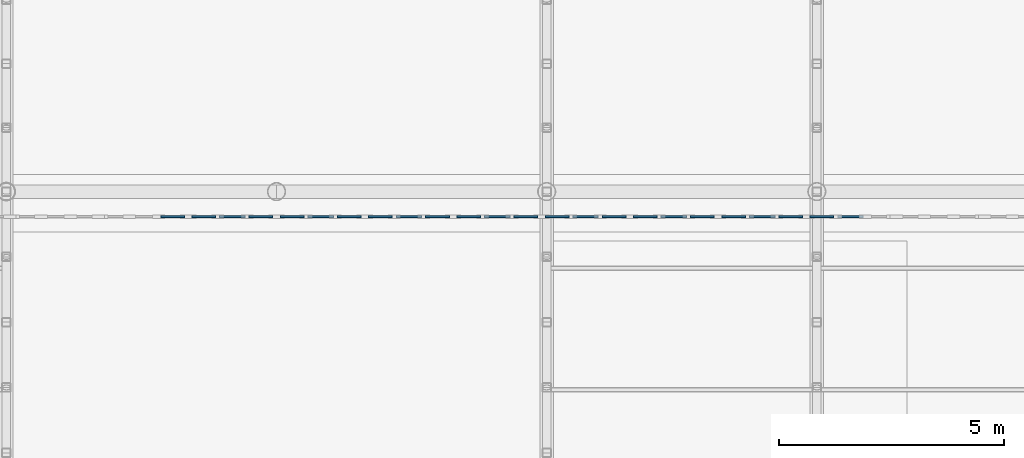
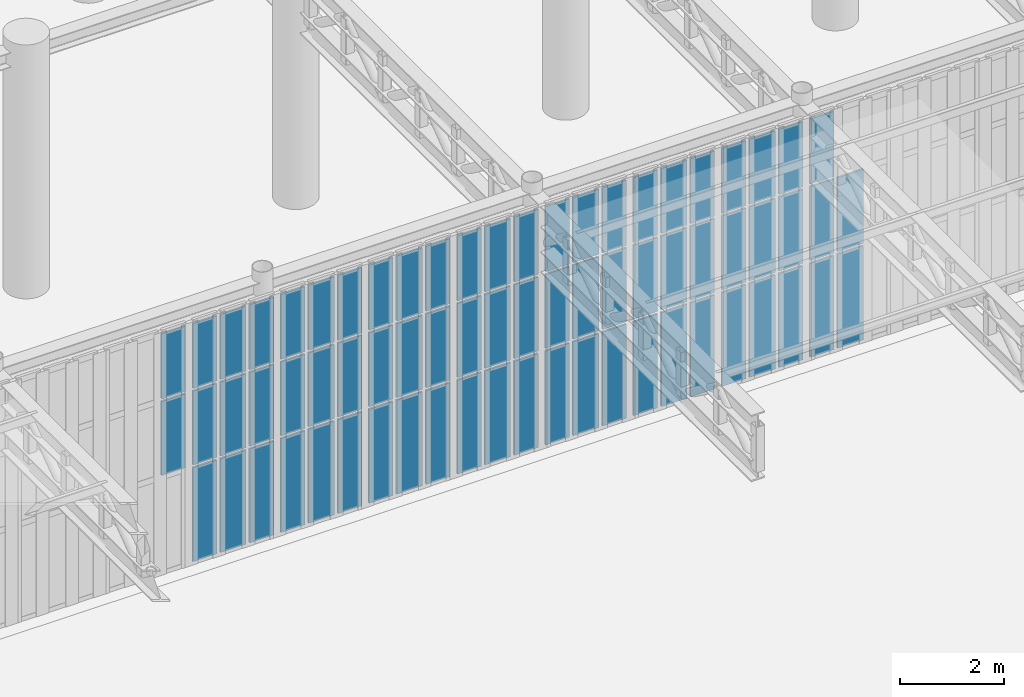
# One storey, part 72 of 118: 70 plates, 9 elements without a shape of their own.
"""IFC4 building model written with IfcOpenShell, lengths in metres."""

from ifc_helpers import new_model, si_unit, direction, frame, origin, origin_2d, place, context, subcontext, project, spatial, rectangle, extrude, material, layer, layer_set, type_object, element, aggregate, save


model = new_model("IFC4")

# Units and contexts
model_context = context("Model", 3, precision=1e-05, world=origin(), true_north=direction((0.0, 1.0)))
body_context = subcontext(model_context, "Body", "Model", "MODEL_VIEW")
ifc_project = project(units=[si_unit("LENGTHUNIT", "METRE"), si_unit("AREAUNIT", "SQUARE_METRE"), si_unit("VOLUMEUNIT", "CUBIC_METRE"), si_unit("PLANEANGLEUNIT", "RADIAN"), si_unit("MASSUNIT", "GRAM", prefix="KILO")], contexts=[model_context])

# Site, building, storey
site_placement = place(None, origin())
site = spatial("IfcSite", under=ifc_project, at=site_placement, CompositionType="ELEMENT")
building_placement = place(site_placement, origin())
building = spatial("IfcBuilding", under=site, at=building_placement, Name="Kolvaren Corner Interchange", CompositionType="ELEMENT")
storey_placement = place(building_placement, origin())
storey = spatial("IfcBuildingStorey", under=building, at=storey_placement, Name="L01", CompositionType="ELEMENT", Elevation=0.0)

# Curtain wall, plates
ifc_material_1 = material(Name="Unitised Aluminium and Solar-Control Glass Curtain Wall", Category="aluminium")
curtain_wall_type = type_object("IfcCurtainWallType", Name="CW-V1-PORTAL", PredefinedType="NOTDEFINED", material=ifc_material_1)
curtain_wall_1_placement = place(storey_placement, origin())
curtain_wall_1 = element("IfcCurtainWall", 1, at=curtain_wall_1_placement, inside=storey, type_object=curtain_wall_type, Name="South Portal Ground Curtain Wall Bay 08", PredefinedType="NOTDEFINED")
ifc_material_2 = material(Name="Acoustic Triple-Glazed Solar Glass", Category="glass")
ifc_layer = layer(ifc_material_2, 0.0419921875)
ifc_layer_set = layer_set([ifc_layer], Name="Acoustic Triple-Glazed Solar Glass")
plate_type = type_object("IfcPlateType", Name="PLT-CW-GL38", PredefinedType="CURTAIN_PANEL", material=ifc_layer_set)
plate_1_placement = place(storey_placement, frame((87.692138671875, 24.340087890625, 2.330078125), z_axis=(0.0, 0.0, 1.0), x_axis=(1.0, 0.0, 0.0)))
plate_1 = element("IfcPlate", 2, at=plate_1_placement, type_object=plate_type, Name="CW-008 panel 3.2", PredefinedType="CURTAIN_PANEL", context=body_context, shape_type="SweptSolid", body=[
    extrude(rectangle(XDim=0.53369140625, YDim=0.0419921875, at=origin_2d()), origin(), (0.0, 0.0, 1.0), 1.739990234375),
])
plate_2_placement = place(storey_placement, frame((87.692138671875, 24.340087890625, 4.1298828125), z_axis=(0.0, 0.0, 1.0), x_axis=(1.0, 0.0, 0.0)))
plate_2 = element("IfcPlate", 3, at=plate_2_placement, type_object=plate_type, Name="CW-008 panel 3.3", PredefinedType="CURTAIN_PANEL", context=body_context, shape_type="SweptSolid", body=[
    extrude(rectangle(XDim=0.53369140625, YDim=0.0419921875, at=origin_2d()), origin(), (0.0, 0.0, 1.0), 1.530029296875),
])
aggregate(curtain_wall_1, [plate_1, plate_2])

curtain_wall_2_placement = place(storey_placement, origin())
curtain_wall_2 = element("IfcCurtainWall", 4, at=curtain_wall_2_placement, inside=storey, type_object=curtain_wall_type, Name="South Portal Ground Curtain Wall Bay 09", PredefinedType="NOTDEFINED")
plate_3_placement = place(storey_placement, frame((88.3857421875, 24.340087890625, 0.06005859375), z_axis=(0.0, 0.0, 1.0), x_axis=(1.0, 0.0, 0.0)))
plate_3 = element("IfcPlate", 5, at=plate_3_placement, type_object=plate_type, Name="CW-009 panel 1.1", PredefinedType="CURTAIN_PANEL", context=body_context, shape_type="SweptSolid", body=[
    extrude(rectangle(XDim=0.53369140625, YDim=0.0419921875, at=origin_2d()), origin(), (0.0, 0.0, 1.0), 2.2099609375),
])
plate_4_placement = place(storey_placement, frame((88.3857421875, 24.340087890625, 2.330078125), z_axis=(0.0, 0.0, 1.0), x_axis=(1.0, 0.0, 0.0)))
plate_4 = element("IfcPlate", 6, at=plate_4_placement, type_object=plate_type, Name="CW-009 panel 1.2", PredefinedType="CURTAIN_PANEL", context=body_context, shape_type="SweptSolid", body=[
    extrude(rectangle(XDim=0.53369140625, YDim=0.0419921875, at=origin_2d()), origin(), (0.0, 0.0, 1.0), 1.739990234375),
])
plate_5_placement = place(storey_placement, frame((88.3857421875, 24.340087890625, 4.1298828125), z_axis=(0.0, 0.0, 1.0), x_axis=(1.0, 0.0, 0.0)))
plate_5 = element("IfcPlate", 7, at=plate_5_placement, type_object=plate_type, Name="CW-009 panel 1.3", PredefinedType="CURTAIN_PANEL", context=body_context, shape_type="SweptSolid", body=[
    extrude(rectangle(XDim=0.53369140625, YDim=0.0419921875, at=origin_2d()), origin(), (0.0, 0.0, 1.0), 1.530029296875),
])
plate_6_placement = place(storey_placement, frame((89.01953125, 24.340087890625, 0.06005859375), z_axis=(0.0, 0.0, 1.0), x_axis=(1.0, 0.0, 0.0)))
plate_6 = element("IfcPlate", 8, at=plate_6_placement, type_object=plate_type, Name="CW-009 panel 2.1", PredefinedType="CURTAIN_PANEL", context=body_context, shape_type="SweptSolid", body=[
    extrude(rectangle(XDim=0.57373046875, YDim=0.0419921875, at=origin_2d()), origin(), (0.0, 0.0, 1.0), 2.2099609375),
])
plate_7_placement = place(storey_placement, frame((89.01953125, 24.340087890625, 2.330078125), z_axis=(0.0, 0.0, 1.0), x_axis=(1.0, 0.0, 0.0)))
plate_7 = element("IfcPlate", 9, at=plate_7_placement, type_object=plate_type, Name="CW-009 panel 2.2", PredefinedType="CURTAIN_PANEL", context=body_context, shape_type="SweptSolid", body=[
    extrude(rectangle(XDim=0.57373046875, YDim=0.0419921875, at=origin_2d()), origin(), (0.0, 0.0, 1.0), 1.739990234375),
])
plate_8_placement = place(storey_placement, frame((89.01953125, 24.340087890625, 4.1298828125), z_axis=(0.0, 0.0, 1.0), x_axis=(1.0, 0.0, 0.0)))
plate_8 = element("IfcPlate", 10, at=plate_8_placement, type_object=plate_type, Name="CW-009 panel 2.3", PredefinedType="CURTAIN_PANEL", context=body_context, shape_type="SweptSolid", body=[
    extrude(rectangle(XDim=0.57373046875, YDim=0.0419921875, at=origin_2d()), origin(), (0.0, 0.0, 1.0), 1.530029296875),
])
plate_9_placement = place(storey_placement, frame((89.653076171875, 24.340087890625, 0.06005859375), z_axis=(0.0, 0.0, 1.0), x_axis=(1.0, 0.0, 0.0)))
plate_9 = element("IfcPlate", 11, at=plate_9_placement, type_object=plate_type, Name="CW-009 panel 3.1", PredefinedType="CURTAIN_PANEL", context=body_context, shape_type="SweptSolid", body=[
    extrude(rectangle(XDim=0.53369140625, YDim=0.0419921875, at=origin_2d()), origin(), (0.0, 0.0, 1.0), 2.2099609375),
])
plate_10_placement = place(storey_placement, frame((89.653076171875, 24.340087890625, 2.330078125), z_axis=(0.0, 0.0, 1.0), x_axis=(1.0, 0.0, 0.0)))
plate_10 = element("IfcPlate", 12, at=plate_10_placement, type_object=plate_type, Name="CW-009 panel 3.2", PredefinedType="CURTAIN_PANEL", context=body_context, shape_type="SweptSolid", body=[
    extrude(rectangle(XDim=0.53369140625, YDim=0.0419921875, at=origin_2d()), origin(), (0.0, 0.0, 1.0), 1.739990234375),
])
plate_11_placement = place(storey_placement, frame((89.653076171875, 24.340087890625, 4.1298828125), z_axis=(0.0, 0.0, 1.0), x_axis=(1.0, 0.0, 0.0)))
plate_11 = element("IfcPlate", 13, at=plate_11_placement, type_object=plate_type, Name="CW-009 panel 3.3", PredefinedType="CURTAIN_PANEL", context=body_context, shape_type="SweptSolid", body=[
    extrude(rectangle(XDim=0.53369140625, YDim=0.0419921875, at=origin_2d()), origin(), (0.0, 0.0, 1.0), 1.530029296875),
])
aggregate(curtain_wall_2, [plate_3, plate_4, plate_5, plate_6, plate_7, plate_8, plate_9, plate_10, plate_11])

curtain_wall_3_placement = place(storey_placement, origin())
curtain_wall_3 = element("IfcCurtainWall", 14, at=curtain_wall_3_placement, inside=storey, type_object=curtain_wall_type, Name="South Portal Ground Curtain Wall Bay 10", PredefinedType="NOTDEFINED")
plate_12_placement = place(storey_placement, frame((90.346923828125, 24.340087890625, 0.06005859375), z_axis=(0.0, 0.0, 1.0), x_axis=(1.0, 0.0, 0.0)))
plate_12 = element("IfcPlate", 15, at=plate_12_placement, type_object=plate_type, Name="CW-010 panel 1.1", PredefinedType="CURTAIN_PANEL", context=body_context, shape_type="SweptSolid", body=[
    extrude(rectangle(XDim=0.53369140625, YDim=0.0419921875, at=origin_2d()), origin(), (0.0, 0.0, 1.0), 2.2099609375),
])
plate_13_placement = place(storey_placement, frame((90.346923828125, 24.340087890625, 2.330078125), z_axis=(0.0, 0.0, 1.0), x_axis=(1.0, 0.0, 0.0)))
plate_13 = element("IfcPlate", 16, at=plate_13_placement, type_object=plate_type, Name="CW-010 panel 1.2", PredefinedType="CURTAIN_PANEL", context=body_context, shape_type="SweptSolid", body=[
    extrude(rectangle(XDim=0.53369140625, YDim=0.0419921875, at=origin_2d()), origin(), (0.0, 0.0, 1.0), 1.739990234375),
])
plate_14_placement = place(storey_placement, frame((90.346923828125, 24.340087890625, 4.1298828125), z_axis=(0.0, 0.0, 1.0), x_axis=(1.0, 0.0, 0.0)))
plate_14 = element("IfcPlate", 17, at=plate_14_placement, type_object=plate_type, Name="CW-010 panel 1.3", PredefinedType="CURTAIN_PANEL", context=body_context, shape_type="SweptSolid", body=[
    extrude(rectangle(XDim=0.53369140625, YDim=0.0419921875, at=origin_2d()), origin(), (0.0, 0.0, 1.0), 1.530029296875),
])
plate_15_placement = place(storey_placement, frame((90.98046875, 24.340087890625, 0.06005859375), z_axis=(0.0, 0.0, 1.0), x_axis=(1.0, 0.0, 0.0)))
plate_15 = element("IfcPlate", 18, at=plate_15_placement, type_object=plate_type, Name="CW-010 panel 2.1", PredefinedType="CURTAIN_PANEL", context=body_context, shape_type="SweptSolid", body=[
    extrude(rectangle(XDim=0.57373046875, YDim=0.0419921875, at=origin_2d()), origin(), (0.0, 0.0, 1.0), 2.2099609375),
])
plate_16_placement = place(storey_placement, frame((90.98046875, 24.340087890625, 2.330078125), z_axis=(0.0, 0.0, 1.0), x_axis=(1.0, 0.0, 0.0)))
plate_16 = element("IfcPlate", 19, at=plate_16_placement, type_object=plate_type, Name="CW-010 panel 2.2", PredefinedType="CURTAIN_PANEL", context=body_context, shape_type="SweptSolid", body=[
    extrude(rectangle(XDim=0.57373046875, YDim=0.0419921875, at=origin_2d()), origin(), (0.0, 0.0, 1.0), 1.739990234375),
])
plate_17_placement = place(storey_placement, frame((90.98046875, 24.340087890625, 4.1298828125), z_axis=(0.0, 0.0, 1.0), x_axis=(1.0, 0.0, 0.0)))
plate_17 = element("IfcPlate", 20, at=plate_17_placement, type_object=plate_type, Name="CW-010 panel 2.3", PredefinedType="CURTAIN_PANEL", context=body_context, shape_type="SweptSolid", body=[
    extrude(rectangle(XDim=0.57373046875, YDim=0.0419921875, at=origin_2d()), origin(), (0.0, 0.0, 1.0), 1.530029296875),
])
plate_18_placement = place(storey_placement, frame((91.6142578125, 24.340087890625, 0.06005859375), z_axis=(0.0, 0.0, 1.0), x_axis=(1.0, 0.0, 0.0)))
plate_18 = element("IfcPlate", 21, at=plate_18_placement, type_object=plate_type, Name="CW-010 panel 3.1", PredefinedType="CURTAIN_PANEL", context=body_context, shape_type="SweptSolid", body=[
    extrude(rectangle(XDim=0.53369140625, YDim=0.0419921875, at=origin_2d()), origin(), (0.0, 0.0, 1.0), 2.2099609375),
])
plate_19_placement = place(storey_placement, frame((91.6142578125, 24.340087890625, 2.330078125), z_axis=(0.0, 0.0, 1.0), x_axis=(1.0, 0.0, 0.0)))
plate_19 = element("IfcPlate", 22, at=plate_19_placement, type_object=plate_type, Name="CW-010 panel 3.2", PredefinedType="CURTAIN_PANEL", context=body_context, shape_type="SweptSolid", body=[
    extrude(rectangle(XDim=0.53369140625, YDim=0.0419921875, at=origin_2d()), origin(), (0.0, 0.0, 1.0), 1.739990234375),
])
plate_20_placement = place(storey_placement, frame((91.6142578125, 24.340087890625, 4.1298828125), z_axis=(0.0, 0.0, 1.0), x_axis=(1.0, 0.0, 0.0)))
plate_20 = element("IfcPlate", 23, at=plate_20_placement, type_object=plate_type, Name="CW-010 panel 3.3", PredefinedType="CURTAIN_PANEL", context=body_context, shape_type="SweptSolid", body=[
    extrude(rectangle(XDim=0.53369140625, YDim=0.0419921875, at=origin_2d()), origin(), (0.0, 0.0, 1.0), 1.530029296875),
])
aggregate(curtain_wall_3, [plate_12, plate_13, plate_14, plate_15, plate_16, plate_17, plate_18, plate_19, plate_20])

curtain_wall_4_placement = place(storey_placement, origin())
curtain_wall_4 = element("IfcCurtainWall", 24, at=curtain_wall_4_placement, inside=storey, type_object=curtain_wall_type, Name="South Portal Ground Curtain Wall Bay 11", PredefinedType="NOTDEFINED")
plate_21_placement = place(storey_placement, frame((92.307861328125, 24.340087890625, 0.06005859375), z_axis=(0.0, 0.0, 1.0), x_axis=(1.0, 0.0, 0.0)))
plate_21 = element("IfcPlate", 25, at=plate_21_placement, type_object=plate_type, Name="CW-011 panel 1.1", PredefinedType="CURTAIN_PANEL", context=body_context, shape_type="SweptSolid", body=[
    extrude(rectangle(XDim=0.53369140625, YDim=0.0419921875, at=origin_2d()), origin(), (0.0, 0.0, 1.0), 2.2099609375),
])
plate_22_placement = place(storey_placement, frame((92.307861328125, 24.340087890625, 2.330078125), z_axis=(0.0, 0.0, 1.0), x_axis=(1.0, 0.0, 0.0)))
plate_22 = element("IfcPlate", 26, at=plate_22_placement, type_object=plate_type, Name="CW-011 panel 1.2", PredefinedType="CURTAIN_PANEL", context=body_context, shape_type="SweptSolid", body=[
    extrude(rectangle(XDim=0.53369140625, YDim=0.0419921875, at=origin_2d()), origin(), (0.0, 0.0, 1.0), 1.739990234375),
])
plate_23_placement = place(storey_placement, frame((92.307861328125, 24.340087890625, 4.1298828125), z_axis=(0.0, 0.0, 1.0), x_axis=(1.0, 0.0, 0.0)))
plate_23 = element("IfcPlate", 27, at=plate_23_placement, type_object=plate_type, Name="CW-011 panel 1.3", PredefinedType="CURTAIN_PANEL", context=body_context, shape_type="SweptSolid", body=[
    extrude(rectangle(XDim=0.53369140625, YDim=0.0419921875, at=origin_2d()), origin(), (0.0, 0.0, 1.0), 1.530029296875),
])
plate_24_placement = place(storey_placement, frame((92.941650390625, 24.340087890625, 0.06005859375), z_axis=(0.0, 0.0, 1.0), x_axis=(1.0, 0.0, 0.0)))
plate_24 = element("IfcPlate", 28, at=plate_24_placement, type_object=plate_type, Name="CW-011 panel 2.1", PredefinedType="CURTAIN_PANEL", context=body_context, shape_type="SweptSolid", body=[
    extrude(rectangle(XDim=0.57373046875, YDim=0.0419921875, at=origin_2d()), origin(), (0.0, 0.0, 1.0), 2.2099609375),
])
plate_25_placement = place(storey_placement, frame((92.941650390625, 24.340087890625, 2.330078125), z_axis=(0.0, 0.0, 1.0), x_axis=(1.0, 0.0, 0.0)))
plate_25 = element("IfcPlate", 29, at=plate_25_placement, type_object=plate_type, Name="CW-011 panel 2.2", PredefinedType="CURTAIN_PANEL", context=body_context, shape_type="SweptSolid", body=[
    extrude(rectangle(XDim=0.57373046875, YDim=0.0419921875, at=origin_2d()), origin(), (0.0, 0.0, 1.0), 1.739990234375),
])
plate_26_placement = place(storey_placement, frame((92.941650390625, 24.340087890625, 4.1298828125), z_axis=(0.0, 0.0, 1.0), x_axis=(1.0, 0.0, 0.0)))
plate_26 = element("IfcPlate", 30, at=plate_26_placement, type_object=plate_type, Name="CW-011 panel 2.3", PredefinedType="CURTAIN_PANEL", context=body_context, shape_type="SweptSolid", body=[
    extrude(rectangle(XDim=0.57373046875, YDim=0.0419921875, at=origin_2d()), origin(), (0.0, 0.0, 1.0), 1.530029296875),
])
plate_27_placement = place(storey_placement, frame((93.575439453125, 24.340087890625, 0.06005859375), z_axis=(0.0, 0.0, 1.0), x_axis=(1.0, 0.0, 0.0)))
plate_27 = element("IfcPlate", 31, at=plate_27_placement, type_object=plate_type, Name="CW-011 panel 3.1", PredefinedType="CURTAIN_PANEL", context=body_context, shape_type="SweptSolid", body=[
    extrude(rectangle(XDim=0.53369140625, YDim=0.0419921875, at=origin_2d()), origin(), (0.0, 0.0, 1.0), 2.2099609375),
])
plate_28_placement = place(storey_placement, frame((93.575439453125, 24.340087890625, 2.330078125), z_axis=(0.0, 0.0, 1.0), x_axis=(1.0, 0.0, 0.0)))
plate_28 = element("IfcPlate", 32, at=plate_28_placement, type_object=plate_type, Name="CW-011 panel 3.2", PredefinedType="CURTAIN_PANEL", context=body_context, shape_type="SweptSolid", body=[
    extrude(rectangle(XDim=0.53369140625, YDim=0.0419921875, at=origin_2d()), origin(), (0.0, 0.0, 1.0), 1.739990234375),
])
plate_29_placement = place(storey_placement, frame((93.575439453125, 24.340087890625, 4.1298828125), z_axis=(0.0, 0.0, 1.0), x_axis=(1.0, 0.0, 0.0)))
plate_29 = element("IfcPlate", 33, at=plate_29_placement, type_object=plate_type, Name="CW-011 panel 3.3", PredefinedType="CURTAIN_PANEL", context=body_context, shape_type="SweptSolid", body=[
    extrude(rectangle(XDim=0.53369140625, YDim=0.0419921875, at=origin_2d()), origin(), (0.0, 0.0, 1.0), 1.530029296875),
])
aggregate(curtain_wall_4, [plate_21, plate_22, plate_23, plate_24, plate_25, plate_26, plate_27, plate_28, plate_29])

curtain_wall_5_placement = place(storey_placement, origin())
curtain_wall_5 = element("IfcCurtainWall", 34, at=curtain_wall_5_placement, inside=storey, type_object=curtain_wall_type, Name="South Portal Ground Curtain Wall Bay 12", PredefinedType="NOTDEFINED")
plate_30_placement = place(storey_placement, frame((94.26904296875, 24.340087890625, 0.06005859375), z_axis=(0.0, 0.0, 1.0), x_axis=(1.0, 0.0, 0.0)))
plate_30 = element("IfcPlate", 35, at=plate_30_placement, type_object=plate_type, Name="CW-012 panel 1.1", PredefinedType="CURTAIN_PANEL", context=body_context, shape_type="SweptSolid", body=[
    extrude(rectangle(XDim=0.53369140625, YDim=0.0419921875, at=origin_2d()), origin(), (0.0, 0.0, 1.0), 2.2099609375),
])
plate_31_placement = place(storey_placement, frame((94.26904296875, 24.340087890625, 2.330078125), z_axis=(0.0, 0.0, 1.0), x_axis=(1.0, 0.0, 0.0)))
plate_31 = element("IfcPlate", 36, at=plate_31_placement, type_object=plate_type, Name="CW-012 panel 1.2", PredefinedType="CURTAIN_PANEL", context=body_context, shape_type="SweptSolid", body=[
    extrude(rectangle(XDim=0.53369140625, YDim=0.0419921875, at=origin_2d()), origin(), (0.0, 0.0, 1.0), 1.739990234375),
])
plate_32_placement = place(storey_placement, frame((94.26904296875, 24.340087890625, 4.1298828125), z_axis=(0.0, 0.0, 1.0), x_axis=(1.0, 0.0, 0.0)))
plate_32 = element("IfcPlate", 37, at=plate_32_placement, type_object=plate_type, Name="CW-012 panel 1.3", PredefinedType="CURTAIN_PANEL", context=body_context, shape_type="SweptSolid", body=[
    extrude(rectangle(XDim=0.53369140625, YDim=0.0419921875, at=origin_2d()), origin(), (0.0, 0.0, 1.0), 1.530029296875),
])
plate_33_placement = place(storey_placement, frame((94.90283203125, 24.340087890625, 0.06005859375), z_axis=(0.0, 0.0, 1.0), x_axis=(1.0, 0.0, 0.0)))
plate_33 = element("IfcPlate", 38, at=plate_33_placement, type_object=plate_type, Name="CW-012 panel 2.1", PredefinedType="CURTAIN_PANEL", context=body_context, shape_type="SweptSolid", body=[
    extrude(rectangle(XDim=0.57373046875, YDim=0.0419921875, at=origin_2d()), origin(), (0.0, 0.0, 1.0), 2.2099609375),
])
plate_34_placement = place(storey_placement, frame((94.90283203125, 24.340087890625, 2.330078125), z_axis=(0.0, 0.0, 1.0), x_axis=(1.0, 0.0, 0.0)))
plate_34 = element("IfcPlate", 39, at=plate_34_placement, type_object=plate_type, Name="CW-012 panel 2.2", PredefinedType="CURTAIN_PANEL", context=body_context, shape_type="SweptSolid", body=[
    extrude(rectangle(XDim=0.57373046875, YDim=0.0419921875, at=origin_2d()), origin(), (0.0, 0.0, 1.0), 1.739990234375),
])
plate_35_placement = place(storey_placement, frame((94.90283203125, 24.340087890625, 4.1298828125), z_axis=(0.0, 0.0, 1.0), x_axis=(1.0, 0.0, 0.0)))
plate_35 = element("IfcPlate", 40, at=plate_35_placement, type_object=plate_type, Name="CW-012 panel 2.3", PredefinedType="CURTAIN_PANEL", context=body_context, shape_type="SweptSolid", body=[
    extrude(rectangle(XDim=0.57373046875, YDim=0.0419921875, at=origin_2d()), origin(), (0.0, 0.0, 1.0), 1.530029296875),
])
plate_36_placement = place(storey_placement, frame((95.536376953125, 24.340087890625, 0.06005859375), z_axis=(0.0, 0.0, 1.0), x_axis=(1.0, 0.0, 0.0)))
plate_36 = element("IfcPlate", 41, at=plate_36_placement, type_object=plate_type, Name="CW-012 panel 3.1", PredefinedType="CURTAIN_PANEL", context=body_context, shape_type="SweptSolid", body=[
    extrude(rectangle(XDim=0.53369140625, YDim=0.0419921875, at=origin_2d()), origin(), (0.0, 0.0, 1.0), 2.2099609375),
])
plate_37_placement = place(storey_placement, frame((95.536376953125, 24.340087890625, 2.330078125), z_axis=(0.0, 0.0, 1.0), x_axis=(1.0, 0.0, 0.0)))
plate_37 = element("IfcPlate", 42, at=plate_37_placement, type_object=plate_type, Name="CW-012 panel 3.2", PredefinedType="CURTAIN_PANEL", context=body_context, shape_type="SweptSolid", body=[
    extrude(rectangle(XDim=0.53369140625, YDim=0.0419921875, at=origin_2d()), origin(), (0.0, 0.0, 1.0), 1.739990234375),
])
plate_38_placement = place(storey_placement, frame((95.536376953125, 24.340087890625, 4.1298828125), z_axis=(0.0, 0.0, 1.0), x_axis=(1.0, 0.0, 0.0)))
plate_38 = element("IfcPlate", 43, at=plate_38_placement, type_object=plate_type, Name="CW-012 panel 3.3", PredefinedType="CURTAIN_PANEL", context=body_context, shape_type="SweptSolid", body=[
    extrude(rectangle(XDim=0.53369140625, YDim=0.0419921875, at=origin_2d()), origin(), (0.0, 0.0, 1.0), 1.530029296875),
])
aggregate(curtain_wall_5, [plate_30, plate_31, plate_32, plate_33, plate_34, plate_35, plate_36, plate_37, plate_38])

curtain_wall_6_placement = place(storey_placement, origin())
curtain_wall_6 = element("IfcCurtainWall", 44, at=curtain_wall_6_placement, inside=storey, type_object=curtain_wall_type, Name="South Portal Ground Curtain Wall Bay 13", PredefinedType="NOTDEFINED")
plate_39_placement = place(storey_placement, frame((96.230224609375, 24.340087890625, 0.06005859375), z_axis=(0.0, 0.0, 1.0), x_axis=(1.0, 0.0, 0.0)))
plate_39 = element("IfcPlate", 45, at=plate_39_placement, type_object=plate_type, Name="CW-013 panel 1.1", PredefinedType="CURTAIN_PANEL", context=body_context, shape_type="SweptSolid", body=[
    extrude(rectangle(XDim=0.53369140625, YDim=0.0419921875, at=origin_2d()), origin(), (0.0, 0.0, 1.0), 2.2099609375),
])
plate_40_placement = place(storey_placement, frame((96.230224609375, 24.340087890625, 2.330078125), z_axis=(0.0, 0.0, 1.0), x_axis=(1.0, 0.0, 0.0)))
plate_40 = element("IfcPlate", 46, at=plate_40_placement, type_object=plate_type, Name="CW-013 panel 1.2", PredefinedType="CURTAIN_PANEL", context=body_context, shape_type="SweptSolid", body=[
    extrude(rectangle(XDim=0.53369140625, YDim=0.0419921875, at=origin_2d()), origin(), (0.0, 0.0, 1.0), 1.739990234375),
])
plate_41_placement = place(storey_placement, frame((96.230224609375, 24.340087890625, 4.1298828125), z_axis=(0.0, 0.0, 1.0), x_axis=(1.0, 0.0, 0.0)))
plate_41 = element("IfcPlate", 47, at=plate_41_placement, type_object=plate_type, Name="CW-013 panel 1.3", PredefinedType="CURTAIN_PANEL", context=body_context, shape_type="SweptSolid", body=[
    extrude(rectangle(XDim=0.53369140625, YDim=0.0419921875, at=origin_2d()), origin(), (0.0, 0.0, 1.0), 1.530029296875),
])
plate_42_placement = place(storey_placement, frame((96.86376953125, 24.340087890625, 0.06005859375), z_axis=(0.0, 0.0, 1.0), x_axis=(1.0, 0.0, 0.0)))
plate_42 = element("IfcPlate", 48, at=plate_42_placement, type_object=plate_type, Name="CW-013 panel 2.1", PredefinedType="CURTAIN_PANEL", context=body_context, shape_type="SweptSolid", body=[
    extrude(rectangle(XDim=0.57373046875, YDim=0.0419921875, at=origin_2d()), origin(), (0.0, 0.0, 1.0), 2.2099609375),
])
plate_43_placement = place(storey_placement, frame((96.86376953125, 24.340087890625, 2.330078125), z_axis=(0.0, 0.0, 1.0), x_axis=(1.0, 0.0, 0.0)))
plate_43 = element("IfcPlate", 49, at=plate_43_placement, type_object=plate_type, Name="CW-013 panel 2.2", PredefinedType="CURTAIN_PANEL", context=body_context, shape_type="SweptSolid", body=[
    extrude(rectangle(XDim=0.57373046875, YDim=0.0419921875, at=origin_2d()), origin(), (0.0, 0.0, 1.0), 1.739990234375),
])
plate_44_placement = place(storey_placement, frame((96.86376953125, 24.340087890625, 4.1298828125), z_axis=(0.0, 0.0, 1.0), x_axis=(1.0, 0.0, 0.0)))
plate_44 = element("IfcPlate", 50, at=plate_44_placement, type_object=plate_type, Name="CW-013 panel 2.3", PredefinedType="CURTAIN_PANEL", context=body_context, shape_type="SweptSolid", body=[
    extrude(rectangle(XDim=0.57373046875, YDim=0.0419921875, at=origin_2d()), origin(), (0.0, 0.0, 1.0), 1.530029296875),
])
plate_45_placement = place(storey_placement, frame((97.49755859375, 24.340087890625, 0.06005859375), z_axis=(0.0, 0.0, 1.0), x_axis=(1.0, 0.0, 0.0)))
plate_45 = element("IfcPlate", 51, at=plate_45_placement, type_object=plate_type, Name="CW-013 panel 3.1", PredefinedType="CURTAIN_PANEL", context=body_context, shape_type="SweptSolid", body=[
    extrude(rectangle(XDim=0.53369140625, YDim=0.0419921875, at=origin_2d()), origin(), (0.0, 0.0, 1.0), 2.2099609375),
])
plate_46_placement = place(storey_placement, frame((97.49755859375, 24.340087890625, 2.330078125), z_axis=(0.0, 0.0, 1.0), x_axis=(1.0, 0.0, 0.0)))
plate_46 = element("IfcPlate", 52, at=plate_46_placement, type_object=plate_type, Name="CW-013 panel 3.2", PredefinedType="CURTAIN_PANEL", context=body_context, shape_type="SweptSolid", body=[
    extrude(rectangle(XDim=0.53369140625, YDim=0.0419921875, at=origin_2d()), origin(), (0.0, 0.0, 1.0), 1.739990234375),
])
plate_47_placement = place(storey_placement, frame((97.49755859375, 24.340087890625, 4.1298828125), z_axis=(0.0, 0.0, 1.0), x_axis=(1.0, 0.0, 0.0)))
plate_47 = element("IfcPlate", 53, at=plate_47_placement, type_object=plate_type, Name="CW-013 panel 3.3", PredefinedType="CURTAIN_PANEL", context=body_context, shape_type="SweptSolid", body=[
    extrude(rectangle(XDim=0.53369140625, YDim=0.0419921875, at=origin_2d()), origin(), (0.0, 0.0, 1.0), 1.530029296875),
])
aggregate(curtain_wall_6, [plate_39, plate_40, plate_41, plate_42, plate_43, plate_44, plate_45, plate_46, plate_47])

curtain_wall_7_placement = place(storey_placement, origin())
curtain_wall_7 = element("IfcCurtainWall", 54, at=curtain_wall_7_placement, inside=storey, type_object=curtain_wall_type, Name="South Portal Ground Curtain Wall Bay 14", PredefinedType="NOTDEFINED")
plate_48_placement = place(storey_placement, frame((98.191162109375, 24.340087890625, 0.06005859375), z_axis=(0.0, 0.0, 1.0), x_axis=(1.0, 0.0, 0.0)))
plate_48 = element("IfcPlate", 55, at=plate_48_placement, type_object=plate_type, Name="CW-014 panel 1.1", PredefinedType="CURTAIN_PANEL", context=body_context, shape_type="SweptSolid", body=[
    extrude(rectangle(XDim=0.53369140625, YDim=0.0419921875, at=origin_2d()), origin(), (0.0, 0.0, 1.0), 2.2099609375),
])
plate_49_placement = place(storey_placement, frame((98.191162109375, 24.340087890625, 2.330078125), z_axis=(0.0, 0.0, 1.0), x_axis=(1.0, 0.0, 0.0)))
plate_49 = element("IfcPlate", 56, at=plate_49_placement, type_object=plate_type, Name="CW-014 panel 1.2", PredefinedType="CURTAIN_PANEL", context=body_context, shape_type="SweptSolid", body=[
    extrude(rectangle(XDim=0.53369140625, YDim=0.0419921875, at=origin_2d()), origin(), (0.0, 0.0, 1.0), 1.739990234375),
])
plate_50_placement = place(storey_placement, frame((98.191162109375, 24.340087890625, 4.1298828125), z_axis=(0.0, 0.0, 1.0), x_axis=(1.0, 0.0, 0.0)))
plate_50 = element("IfcPlate", 57, at=plate_50_placement, type_object=plate_type, Name="CW-014 panel 1.3", PredefinedType="CURTAIN_PANEL", context=body_context, shape_type="SweptSolid", body=[
    extrude(rectangle(XDim=0.53369140625, YDim=0.0419921875, at=origin_2d()), origin(), (0.0, 0.0, 1.0), 1.530029296875),
])
plate_51_placement = place(storey_placement, frame((98.824951171875, 24.340087890625, 0.06005859375), z_axis=(0.0, 0.0, 1.0), x_axis=(1.0, 0.0, 0.0)))
plate_51 = element("IfcPlate", 58, at=plate_51_placement, type_object=plate_type, Name="CW-014 panel 2.1", PredefinedType="CURTAIN_PANEL", context=body_context, shape_type="SweptSolid", body=[
    extrude(rectangle(XDim=0.57373046875, YDim=0.0419921875, at=origin_2d()), origin(), (0.0, 0.0, 1.0), 2.2099609375),
])
plate_52_placement = place(storey_placement, frame((98.824951171875, 24.340087890625, 2.330078125), z_axis=(0.0, 0.0, 1.0), x_axis=(1.0, 0.0, 0.0)))
plate_52 = element("IfcPlate", 59, at=plate_52_placement, type_object=plate_type, Name="CW-014 panel 2.2", PredefinedType="CURTAIN_PANEL", context=body_context, shape_type="SweptSolid", body=[
    extrude(rectangle(XDim=0.57373046875, YDim=0.0419921875, at=origin_2d()), origin(), (0.0, 0.0, 1.0), 1.739990234375),
])
plate_53_placement = place(storey_placement, frame((98.824951171875, 24.340087890625, 4.1298828125), z_axis=(0.0, 0.0, 1.0), x_axis=(1.0, 0.0, 0.0)))
plate_53 = element("IfcPlate", 60, at=plate_53_placement, type_object=plate_type, Name="CW-014 panel 2.3", PredefinedType="CURTAIN_PANEL", context=body_context, shape_type="SweptSolid", body=[
    extrude(rectangle(XDim=0.57373046875, YDim=0.0419921875, at=origin_2d()), origin(), (0.0, 0.0, 1.0), 1.530029296875),
])
plate_54_placement = place(storey_placement, frame((99.458740234375, 24.340087890625, 0.06005859375), z_axis=(0.0, 0.0, 1.0), x_axis=(1.0, 0.0, 0.0)))
plate_54 = element("IfcPlate", 61, at=plate_54_placement, type_object=plate_type, Name="CW-014 panel 3.1", PredefinedType="CURTAIN_PANEL", context=body_context, shape_type="SweptSolid", body=[
    extrude(rectangle(XDim=0.53369140625, YDim=0.0419921875, at=origin_2d()), origin(), (0.0, 0.0, 1.0), 2.2099609375),
])
plate_55_placement = place(storey_placement, frame((99.458740234375, 24.340087890625, 2.330078125), z_axis=(0.0, 0.0, 1.0), x_axis=(1.0, 0.0, 0.0)))
plate_55 = element("IfcPlate", 62, at=plate_55_placement, type_object=plate_type, Name="CW-014 panel 3.2", PredefinedType="CURTAIN_PANEL", context=body_context, shape_type="SweptSolid", body=[
    extrude(rectangle(XDim=0.53369140625, YDim=0.0419921875, at=origin_2d()), origin(), (0.0, 0.0, 1.0), 1.739990234375),
])
plate_56_placement = place(storey_placement, frame((99.458740234375, 24.340087890625, 4.1298828125), z_axis=(0.0, 0.0, 1.0), x_axis=(1.0, 0.0, 0.0)))
plate_56 = element("IfcPlate", 63, at=plate_56_placement, type_object=plate_type, Name="CW-014 panel 3.3", PredefinedType="CURTAIN_PANEL", context=body_context, shape_type="SweptSolid", body=[
    extrude(rectangle(XDim=0.53369140625, YDim=0.0419921875, at=origin_2d()), origin(), (0.0, 0.0, 1.0), 1.530029296875),
])
aggregate(curtain_wall_7, [plate_48, plate_49, plate_50, plate_51, plate_52, plate_53, plate_54, plate_55, plate_56])

curtain_wall_8_placement = place(storey_placement, origin())
curtain_wall_8 = element("IfcCurtainWall", 64, at=curtain_wall_8_placement, inside=storey, type_object=curtain_wall_type, Name="South Portal Ground Curtain Wall Bay 15", PredefinedType="NOTDEFINED")
plate_57_placement = place(storey_placement, frame((100.15234375, 24.340087890625, 0.06005859375), z_axis=(0.0, 0.0, 1.0), x_axis=(1.0, 0.0, 0.0)))
plate_57 = element("IfcPlate", 65, at=plate_57_placement, type_object=plate_type, Name="CW-015 panel 1.1", PredefinedType="CURTAIN_PANEL", context=body_context, shape_type="SweptSolid", body=[
    extrude(rectangle(XDim=0.53369140625, YDim=0.0419921875, at=origin_2d()), origin(), (0.0, 0.0, 1.0), 2.2099609375),
])
plate_58_placement = place(storey_placement, frame((100.15234375, 24.340087890625, 2.330078125), z_axis=(0.0, 0.0, 1.0), x_axis=(1.0, 0.0, 0.0)))
plate_58 = element("IfcPlate", 66, at=plate_58_placement, type_object=plate_type, Name="CW-015 panel 1.2", PredefinedType="CURTAIN_PANEL", context=body_context, shape_type="SweptSolid", body=[
    extrude(rectangle(XDim=0.53369140625, YDim=0.0419921875, at=origin_2d()), origin(), (0.0, 0.0, 1.0), 1.739990234375),
])
plate_59_placement = place(storey_placement, frame((100.15234375, 24.340087890625, 4.1298828125), z_axis=(0.0, 0.0, 1.0), x_axis=(1.0, 0.0, 0.0)))
plate_59 = element("IfcPlate", 67, at=plate_59_placement, type_object=plate_type, Name="CW-015 panel 1.3", PredefinedType="CURTAIN_PANEL", context=body_context, shape_type="SweptSolid", body=[
    extrude(rectangle(XDim=0.53369140625, YDim=0.0419921875, at=origin_2d()), origin(), (0.0, 0.0, 1.0), 1.530029296875),
])
plate_60_placement = place(storey_placement, frame((100.7861328125, 24.340087890625, 0.06005859375), z_axis=(0.0, 0.0, 1.0), x_axis=(1.0, 0.0, 0.0)))
plate_60 = element("IfcPlate", 68, at=plate_60_placement, type_object=plate_type, Name="CW-015 panel 2.1", PredefinedType="CURTAIN_PANEL", context=body_context, shape_type="SweptSolid", body=[
    extrude(rectangle(XDim=0.57373046875, YDim=0.0419921875, at=origin_2d()), origin(), (0.0, 0.0, 1.0), 2.2099609375),
])
plate_61_placement = place(storey_placement, frame((100.7861328125, 24.340087890625, 2.330078125), z_axis=(0.0, 0.0, 1.0), x_axis=(1.0, 0.0, 0.0)))
plate_61 = element("IfcPlate", 69, at=plate_61_placement, type_object=plate_type, Name="CW-015 panel 2.2", PredefinedType="CURTAIN_PANEL", context=body_context, shape_type="SweptSolid", body=[
    extrude(rectangle(XDim=0.57373046875, YDim=0.0419921875, at=origin_2d()), origin(), (0.0, 0.0, 1.0), 1.739990234375),
])
plate_62_placement = place(storey_placement, frame((100.7861328125, 24.340087890625, 4.1298828125), z_axis=(0.0, 0.0, 1.0), x_axis=(1.0, 0.0, 0.0)))
plate_62 = element("IfcPlate", 70, at=plate_62_placement, type_object=plate_type, Name="CW-015 panel 2.3", PredefinedType="CURTAIN_PANEL", context=body_context, shape_type="SweptSolid", body=[
    extrude(rectangle(XDim=0.57373046875, YDim=0.0419921875, at=origin_2d()), origin(), (0.0, 0.0, 1.0), 1.530029296875),
])
plate_63_placement = place(storey_placement, frame((101.419921875, 24.340087890625, 0.06005859375), z_axis=(0.0, 0.0, 1.0), x_axis=(1.0, 0.0, 0.0)))
plate_63 = element("IfcPlate", 71, at=plate_63_placement, type_object=plate_type, Name="CW-015 panel 3.1", PredefinedType="CURTAIN_PANEL", context=body_context, shape_type="SweptSolid", body=[
    extrude(rectangle(XDim=0.53369140625, YDim=0.0419921875, at=origin_2d()), origin(), (0.0, 0.0, 1.0), 2.2099609375),
])
plate_64_placement = place(storey_placement, frame((101.419921875, 24.340087890625, 2.330078125), z_axis=(0.0, 0.0, 1.0), x_axis=(1.0, 0.0, 0.0)))
plate_64 = element("IfcPlate", 72, at=plate_64_placement, type_object=plate_type, Name="CW-015 panel 3.2", PredefinedType="CURTAIN_PANEL", context=body_context, shape_type="SweptSolid", body=[
    extrude(rectangle(XDim=0.53369140625, YDim=0.0419921875, at=origin_2d()), origin(), (0.0, 0.0, 1.0), 1.739990234375),
])
plate_65_placement = place(storey_placement, frame((101.419921875, 24.340087890625, 4.1298828125), z_axis=(0.0, 0.0, 1.0), x_axis=(1.0, 0.0, 0.0)))
plate_65 = element("IfcPlate", 73, at=plate_65_placement, type_object=plate_type, Name="CW-015 panel 3.3", PredefinedType="CURTAIN_PANEL", context=body_context, shape_type="SweptSolid", body=[
    extrude(rectangle(XDim=0.53369140625, YDim=0.0419921875, at=origin_2d()), origin(), (0.0, 0.0, 1.0), 1.530029296875),
])
aggregate(curtain_wall_8, [plate_57, plate_58, plate_59, plate_60, plate_61, plate_62, plate_63, plate_64, plate_65])

curtain_wall_9_placement = place(storey_placement, origin())
curtain_wall_9 = element("IfcCurtainWall", 74, at=curtain_wall_9_placement, inside=storey, type_object=curtain_wall_type, Name="South Portal Ground Curtain Wall Bay 16", PredefinedType="NOTDEFINED")
plate_66_placement = place(storey_placement, frame((102.113525390625, 24.340087890625, 0.06005859375), z_axis=(0.0, 0.0, 1.0), x_axis=(1.0, 0.0, 0.0)))
plate_66 = element("IfcPlate", 75, at=plate_66_placement, type_object=plate_type, Name="CW-016 panel 1.1", PredefinedType="CURTAIN_PANEL", context=body_context, shape_type="SweptSolid", body=[
    extrude(rectangle(XDim=0.53369140625, YDim=0.0419921875, at=origin_2d()), origin(), (0.0, 0.0, 1.0), 2.2099609375),
])
plate_67_placement = place(storey_placement, frame((102.113525390625, 24.340087890625, 2.330078125), z_axis=(0.0, 0.0, 1.0), x_axis=(1.0, 0.0, 0.0)))
plate_67 = element("IfcPlate", 76, at=plate_67_placement, type_object=plate_type, Name="CW-016 panel 1.2", PredefinedType="CURTAIN_PANEL", context=body_context, shape_type="SweptSolid", body=[
    extrude(rectangle(XDim=0.53369140625, YDim=0.0419921875, at=origin_2d()), origin(), (0.0, 0.0, 1.0), 1.739990234375),
])
plate_68_placement = place(storey_placement, frame((102.113525390625, 24.340087890625, 4.1298828125), z_axis=(0.0, 0.0, 1.0), x_axis=(1.0, 0.0, 0.0)))
plate_68 = element("IfcPlate", 77, at=plate_68_placement, type_object=plate_type, Name="CW-016 panel 1.3", PredefinedType="CURTAIN_PANEL", context=body_context, shape_type="SweptSolid", body=[
    extrude(rectangle(XDim=0.53369140625, YDim=0.0419921875, at=origin_2d()), origin(), (0.0, 0.0, 1.0), 1.530029296875),
])
plate_69_placement = place(storey_placement, frame((102.747314453125, 24.340087890625, 0.06005859375), z_axis=(0.0, 0.0, 1.0), x_axis=(1.0, 0.0, 0.0)))
plate_69 = element("IfcPlate", 78, at=plate_69_placement, type_object=plate_type, Name="CW-016 panel 2.1", PredefinedType="CURTAIN_PANEL", context=body_context, shape_type="SweptSolid", body=[
    extrude(rectangle(XDim=0.57373046875, YDim=0.0419921875, at=origin_2d()), origin(), (0.0, 0.0, 1.0), 2.2099609375),
])
plate_70_placement = place(storey_placement, frame((102.747314453125, 24.340087890625, 2.330078125), z_axis=(0.0, 0.0, 1.0), x_axis=(1.0, 0.0, 0.0)))
plate_70 = element("IfcPlate", 79, at=plate_70_placement, type_object=plate_type, Name="CW-016 panel 2.2", PredefinedType="CURTAIN_PANEL", context=body_context, shape_type="SweptSolid", body=[
    extrude(rectangle(XDim=0.57373046875, YDim=0.0419921875, at=origin_2d()), origin(), (0.0, 0.0, 1.0), 1.739990234375),
])
aggregate(curtain_wall_9, [plate_66, plate_67, plate_68, plate_69, plate_70])

save(model, "model.ifc")
